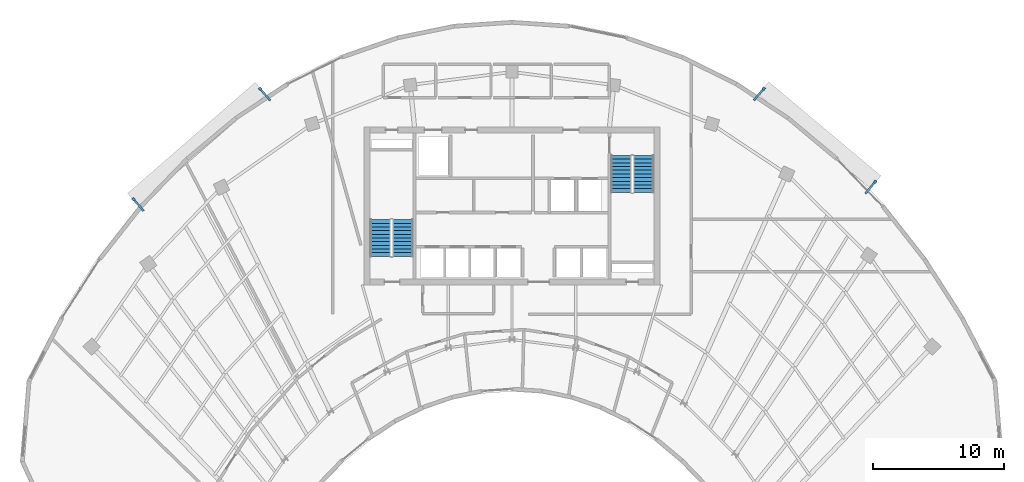
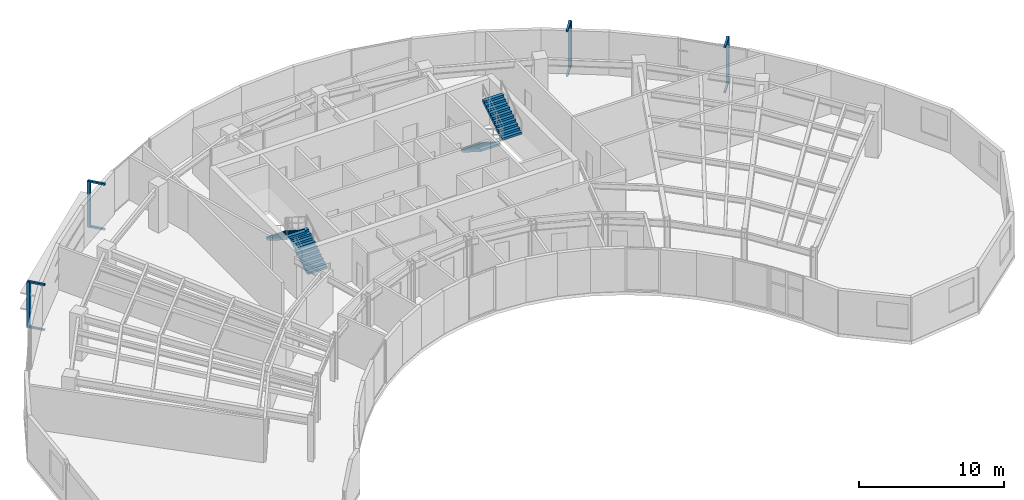
# One storey, part 12 of 14: 12 discrete accessories, 4 stair flights, 2 elements without a shape of their own.
"""IFC4 building model written with IfcOpenShell, lengths in metres."""

from ifc_helpers import new_model, si_unit, direction, frame, origin, origin_2d, place, context, subcontext, project, spatial, polyline, rectangle, outline, extrude, source, transform, mapped, material, type_object, type_shapes, element, aggregate, save


model = new_model("IFC4")

# Units and contexts
model_context = context("Model", 3, precision=1e-05, world=origin(), true_north=direction((0.0, 1.0)))
body_context = subcontext(model_context, "Body", "Model", "MODEL_VIEW")
ifc_project = project(units=[si_unit("LENGTHUNIT", "METRE"), si_unit("AREAUNIT", "SQUARE_METRE"), si_unit("VOLUMEUNIT", "CUBIC_METRE"), si_unit("PLANEANGLEUNIT", "RADIAN"), si_unit("MASSUNIT", "GRAM", prefix="KILO")], contexts=[model_context])

# Site, building, storey
site_placement = place(None, origin())
site = spatial("IfcSite", under=ifc_project, at=site_placement, CompositionType="ELEMENT")
building_placement = place(site_placement, origin())
building = spatial("IfcBuilding", under=site, at=building_placement, Name="Breltana Convention Tower", CompositionType="ELEMENT")
storey_placement = place(building_placement, frame((0.0, 0.0, 219.60009765625)))
storey = spatial("IfcBuildingStorey", under=building, at=storey_placement, Name="L53", CompositionType="ELEMENT", Elevation=219.60009765625)

# Stair, stair flights
ifc_material_1 = material(Name="Concrete C40/50", Category="concrete")
stair_type = type_object("IfcStairType", Name="ST-DOG-1560-R177", PredefinedType="HALF_TURN_STAIR", material=ifc_material_1)
stair_1_placement = place(storey_placement, origin())
stair_1 = element("IfcStair", 1, at=stair_1_placement, inside=storey, type_object=stair_type, Name="L53 Protected Core Exit Stair ST-1", PredefinedType="HALF_TURN_STAIR")
stair_flight_type = type_object("IfcStairFlightType", Name="STF-DOG-1560-N11-R177", PredefinedType="STRAIGHT", material=ifc_material_1)
stair_flight_1_placement = place(storey_placement, frame((39.68994140625, 62.360107421875, 0.0), z_axis=(0.0, 0.0, 1.0), x_axis=(0.0, 1.0, 0.0)))
stair_flight_1 = element("IfcStairFlight", 2, at=stair_flight_1_placement, type_object=stair_flight_type, Name="ST-1 flight 1", NumberOfRisers=11, NumberOfTreads=10, PredefinedType="STRAIGHT", RiserHeight=0.177272727, TreadLength=0.28, context=body_context, shape_type="SweptSolid", body=[
    extrude(outline(polyline([(0.0, 0.0), (0.0, 0.17724609375), (0.280029296875, 0.17724609375), (0.280029296875, 0.3544921875), (0.56005859375, 0.3544921875), (0.56005859375, 0.53173828125), (0.840087890625, 0.53173828125), (0.840087890625, 0.708984375), (1.1201171875, 0.708984375), (1.1201171875, 0.886474609375), (1.39990234375, 0.886474609375), (1.39990234375, 1.063720703125), (1.679931640625, 1.063720703125), (1.679931640625, 1.240966796875), (1.9599609375, 1.240966796875), (1.9599609375, 1.418212890625), (2.239990234375, 1.418212890625), (2.239990234375, 1.595458984375), (2.52001953125, 1.595458984375), (2.52001953125, 1.772705078125), (2.800048828125, 1.772705078125), (2.800048828125, 1.949951171875), (2.800048828125, 1.59521484375), (0.2802734375, 0.0), (0.0, 0.0)])), frame((0.0, 0.780029296875, 0.0), z_axis=(0.0, -1.0, 0.0), x_axis=(1.0, 0.0, 0.0)), (0.0, 0.0, 1.0), 1.56005859375),
])
stair_flight_2_placement = place(storey_placement, frame((37.97998046875, 65.159912109375, 1.949951171875), z_axis=(0.0, 0.0, 1.0), x_axis=(0.0, -1.0, 0.0)))
stair_flight_2 = element("IfcStairFlight", 3, at=stair_flight_2_placement, type_object=stair_flight_type, Name="ST-1 flight 2", NumberOfRisers=11, NumberOfTreads=10, PredefinedType="STRAIGHT", RiserHeight=0.177272727, TreadLength=0.28, context=body_context, shape_type="SweptSolid", body=[
    extrude(outline(polyline([(0.0, 0.0), (0.0, 0.17724609375), (0.280029296875, 0.17724609375), (0.280029296875, 0.3544921875), (0.56005859375, 0.3544921875), (0.56005859375, 0.53173828125), (0.840087890625, 0.53173828125), (0.840087890625, 0.708984375), (1.1201171875, 0.708984375), (1.1201171875, 0.886474609375), (1.39990234375, 0.886474609375), (1.39990234375, 1.063720703125), (1.679931640625, 1.063720703125), (1.679931640625, 1.240966796875), (1.9599609375, 1.240966796875), (1.9599609375, 1.418212890625), (2.239990234375, 1.418212890625), (2.239990234375, 1.595458984375), (2.52001953125, 1.595458984375), (2.52001953125, 1.772705078125), (2.800048828125, 1.772705078125), (2.800048828125, 1.949951171875), (2.800048828125, 1.59521484375), (0.2802734375, 0.0), (0.0, 0.0)])), frame((0.0, 0.780029296875, 0.0), z_axis=(0.0, -1.0, 0.0), x_axis=(1.0, 0.0, 0.0)), (0.0, 0.0, 1.0), 1.56005859375),
])
aggregate(stair_1, [stair_flight_1, stair_flight_2])

stair_2_placement = place(storey_placement, origin())
stair_2 = element("IfcStair", 4, at=stair_2_placement, inside=storey, type_object=stair_type, Name="L53 Protected Core Exit Stair ST-2", PredefinedType="HALF_TURN_STAIR")
stair_flight_3_placement = place(storey_placement, frame((56.31005859375, 70.0400390625, 0.0), z_axis=(0.0, 0.0, 1.0), x_axis=(0.0, -1.0, 0.0)))
stair_flight_3 = element("IfcStairFlight", 5, at=stair_flight_3_placement, type_object=stair_flight_type, Name="ST-2 flight 1", NumberOfRisers=11, NumberOfTreads=10, PredefinedType="STRAIGHT", RiserHeight=0.177272727, TreadLength=0.28, context=body_context, shape_type="SweptSolid", body=[
    extrude(outline(polyline([(0.0, 0.0), (0.0, 0.17724609375), (0.280029296875, 0.17724609375), (0.280029296875, 0.3544921875), (0.56005859375, 0.3544921875), (0.56005859375, 0.53173828125), (0.840087890625, 0.53173828125), (0.840087890625, 0.708984375), (1.1201171875, 0.708984375), (1.1201171875, 0.886474609375), (1.39990234375, 0.886474609375), (1.39990234375, 1.063720703125), (1.679931640625, 1.063720703125), (1.679931640625, 1.240966796875), (1.9599609375, 1.240966796875), (1.9599609375, 1.418212890625), (2.239990234375, 1.418212890625), (2.239990234375, 1.595458984375), (2.52001953125, 1.595458984375), (2.52001953125, 1.772705078125), (2.800048828125, 1.772705078125), (2.800048828125, 1.949951171875), (2.800048828125, 1.59521484375), (0.2802734375, 0.0), (0.0, 0.0)])), frame((0.0, 0.780029296875, 0.0), z_axis=(0.0, -1.0, 0.0), x_axis=(1.0, 0.0, 0.0)), (0.0, 0.0, 1.0), 1.56005859375),
])
stair_flight_4_placement = place(storey_placement, frame((58.02001953125, 67.239990234375, 1.949951171875), z_axis=(0.0, 0.0, 1.0), x_axis=(0.0, 1.0, 0.0)))
stair_flight_4 = element("IfcStairFlight", 6, at=stair_flight_4_placement, type_object=stair_flight_type, Name="ST-2 flight 2", NumberOfRisers=11, NumberOfTreads=10, PredefinedType="STRAIGHT", RiserHeight=0.177272727, TreadLength=0.28, context=body_context, shape_type="SweptSolid", body=[
    extrude(outline(polyline([(0.0, 0.0), (0.0, 0.17724609375), (0.280029296875, 0.17724609375), (0.280029296875, 0.3544921875), (0.56005859375, 0.3544921875), (0.56005859375, 0.53173828125), (0.840087890625, 0.53173828125), (0.840087890625, 0.708984375), (1.1201171875, 0.708984375), (1.1201171875, 0.886474609375), (1.39990234375, 0.886474609375), (1.39990234375, 1.063720703125), (1.679931640625, 1.063720703125), (1.679931640625, 1.240966796875), (1.9599609375, 1.240966796875), (1.9599609375, 1.418212890625), (2.239990234375, 1.418212890625), (2.239990234375, 1.595458984375), (2.52001953125, 1.595458984375), (2.52001953125, 1.772705078125), (2.800048828125, 1.772705078125), (2.800048828125, 1.949951171875), (2.800048828125, 1.59521484375), (0.2802734375, 0.0), (0.0, 0.0)])), frame((0.0, 0.780029296875, 0.0), z_axis=(0.0, -1.0, 0.0), x_axis=(1.0, 0.0, 0.0)), (0.0, 0.0, 1.0), 1.56005859375),
])
aggregate(stair_2, [stair_flight_3, stair_flight_4])

# Discrete accessories
ifc_material_2 = material(Name="Steel S355", Category="steel")
discrete_accessory_type_1 = type_object("IfcDiscreteAccessoryType", Name="ACC-DSF-BRACKET-150", PredefinedType="BRACKET", material=ifc_material_2)
shared_shape_1 = source(origin(), body_context, "Body", "SweptSolid", [
    extrude(rectangle(XDim=1.239990234375, YDim=0.14990234375, at=origin_2d()), origin(), (0.0, 0.0, 1.0), 0.139892578125),
])
type_shapes(discrete_accessory_type_1, [shared_shape_1])
for number, where, z_axis, x_axis, name in (
    (7, (19.545166015625, 66.295166015625, -0.16015625), (0.0, 0.0, 1.0), (-0.65645174674, 0.754368016423, 0.0), "L53 double-skin slab stand-off bracket 1.1B"),
    (8, (19.545166015625, 66.295166015625, 3.64013671875), (0.0, 0.0, 1.0), (-0.65645174674, 0.754368016423, 0.0), "L53 double-skin slab stand-off bracket 1.1T"),
    (9, (29.1953125, 74.69287109375, -0.16015625), (0.0, 0.0, 1.0), (-0.65645174674, 0.754368016423, 0.0), "L53 double-skin slab stand-off bracket 1.2B"),
    (10, (29.1953125, 74.69287109375, 3.64013671875), (0.0, 0.0, 1.0), (-0.65645174674, 0.754368016423, 0.0), "L53 double-skin slab stand-off bracket 1.2T"),
    (11, (66.8125, 74.715087890625, -0.16015625), (0.0, 0.0, 1.0), (0.641983760468, 0.766718234618, 0.0), "L53 double-skin slab stand-off bracket 2.1B"),
    (12, (66.8125, 74.715087890625, 3.64013671875), (0.0, 0.0, 1.0), (0.641983760468, 0.766718234618, 0.0), "L53 double-skin slab stand-off bracket 2.1T"),
    (13, (75.29150390625, 67.615478515625, -0.16015625), (0.0, 0.0, 1.0), (0.641983760468, 0.766718234618, 0.0), "L53 double-skin slab stand-off bracket 2.2B"),
    (14, (75.29150390625, 67.615478515625, 3.64013671875), (0.0, 0.0, 1.0), (0.641983760468, 0.766718234618, 0.0), "L53 double-skin slab stand-off bracket 2.2T"),
):
    element("IfcDiscreteAccessory", number, at=place(storey_placement, frame(where, z_axis=z_axis, x_axis=x_axis)), inside=storey, type_object=discrete_accessory_type_1, Name=name, PredefinedType="BRACKET", context=body_context, shape_type="MappedRepresentation", body=[
        mapped(shared_shape_1, transform((0.0, 0.0, 0.0), scale=1.0)),
    ])
discrete_accessory_type_2 = type_object("IfcDiscreteAccessoryType", Name="ACC-DSF-CARRIER-150", PredefinedType="BRACKET", material=ifc_material_2)
shared_shape_2 = source(origin(), body_context, "Body", "SweptSolid", [
    extrude(rectangle(XDim=0.219970703125, YDim=0.219970703125, at=origin_2d()), origin(), (0.0, 0.0, 1.0), 3.860107421875),
])
for number, where, z_axis, x_axis, name in (
    (15, (19.177490234375, 66.7177734375, -0.1201171875), (0.0, 0.0, 1.0), (-0.65645174674, 0.754368016423, 0.0), "L53 double-skin outer vertical carrier 1.1"),
    (16, (28.82763671875, 75.115478515625, -0.1201171875), (0.0, 0.0, 1.0), (-0.65645174674, 0.754368016423, 0.0), "L53 double-skin outer vertical carrier 1.2"),
    (17, (67.172119140625, 75.144287109375, -0.1201171875), (0.0, 0.0, 1.0), (0.641983760468, 0.766718234618, 0.0), "L53 double-skin outer vertical carrier 2.1"),
    (18, (75.65087890625, 68.044921875, -0.1201171875), (0.0, 0.0, 1.0), (0.641983760468, 0.766718234618, 0.0), "L53 double-skin outer vertical carrier 2.2"),
):
    element("IfcDiscreteAccessory", number, at=place(storey_placement, frame(where, z_axis=z_axis, x_axis=x_axis)), inside=storey, type_object=discrete_accessory_type_2, Name=name, PredefinedType="BRACKET", context=body_context, shape_type="MappedRepresentation", body=[
        mapped(shared_shape_2, transform((0.0, 0.0, 0.0), scale=1.0)),
    ])

save(model, "model.ifc")
